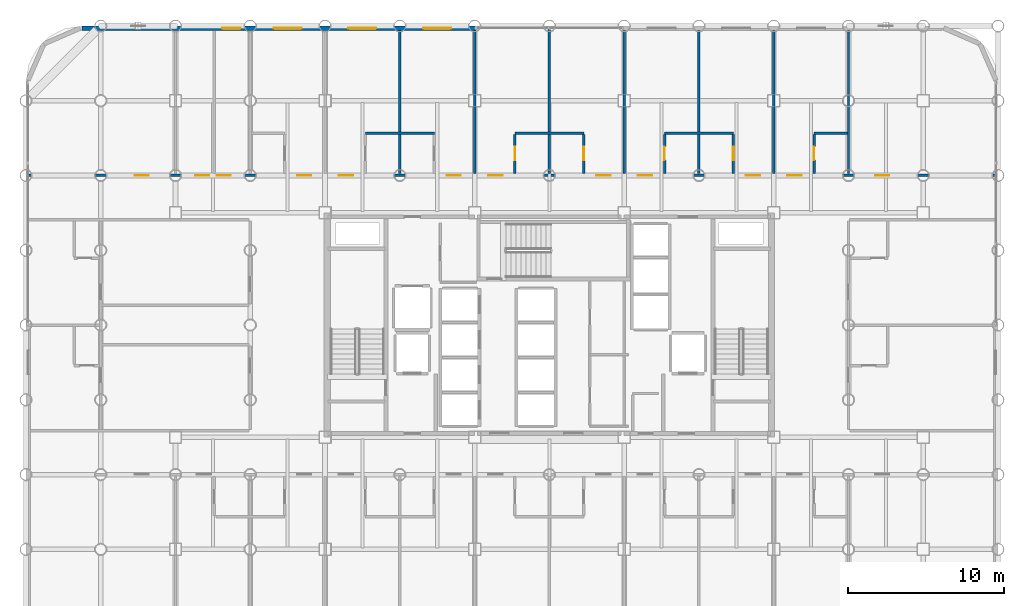
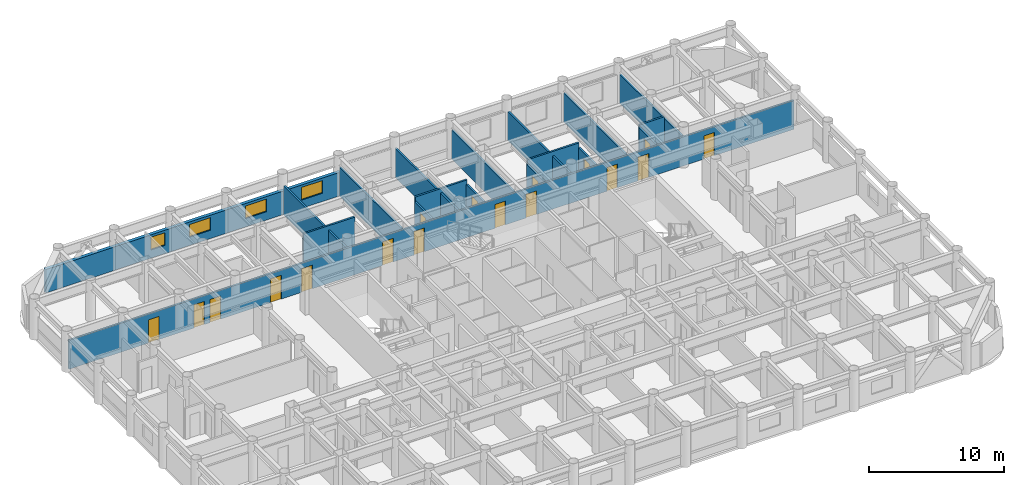
# One storey, part 20 of 22: 18 walls, 17 doors, 4 windows, 21 openings.
"""IFC4 building model written with IfcOpenShell, lengths in metres."""

from ifc_helpers import new_model, si_unit, direction, frame, frame_2d, origin, place, context, subcontext, project, spatial, rectangle, extrude, material, layer, layer_set, type_object, element, fill, save


model = new_model("IFC4")

# Units and contexts
model_context = context("Model", 3, precision=1e-05, world=origin(), true_north=direction((0.0, 1.0)))
body_context = subcontext(model_context, "Body", "Model", "MODEL_VIEW")
ifc_project = project(units=[si_unit("LENGTHUNIT", "METRE"), si_unit("AREAUNIT", "SQUARE_METRE"), si_unit("VOLUMEUNIT", "CUBIC_METRE"), si_unit("PLANEANGLEUNIT", "RADIAN"), si_unit("MASSUNIT", "GRAM", prefix="KILO")], contexts=[model_context])

# Site, building, storey
site_placement = place(None, origin())
site = spatial("IfcSite", under=ifc_project, at=site_placement, CompositionType="ELEMENT")
building_placement = place(site_placement, origin())
building = spatial("IfcBuilding", under=site, at=building_placement, Name="Kallvorn Hotel Tower", CompositionType="ELEMENT")
storey_placement = place(building_placement, frame((0.0, 0.0, 33.699951171875)))
storey = spatial("IfcBuildingStorey", under=building, at=storey_placement, Name="L06", CompositionType="ELEMENT", Elevation=33.699951171875)

# Wall, openings, doors
ifc_material_1 = material(Name="Fire-rated double-layer acoustic gypsum drywall EI 60")
ifc_layer_1 = layer(ifc_material_1, 0.159912109375)
ifc_layer_set_1 = layer_set([ifc_layer_1], Name="WL_DEMISE_160")
wall_type_1 = type_object("IfcWallType", Name="WL_DEMISE_160", PredefinedType="PARTITIONING", material=ifc_layer_set_1)
wall_1_placement = place(storey_placement, frame((-33.429931640625, 9.60009765625, 0.0), z_axis=(0.0, 0.0, 1.0), x_axis=(1.0, 0.0, 0.0)))
wall_1 = element("IfcWall", 1, at=wall_1_placement, inside=storey, type_object=wall_type_1, Name="L06 Suite 614 Standard Twin Room Partition", PredefinedType="PARTITIONING", context=body_context, shape_type="SweptSolid", body=[
    extrude(rectangle(XDim=62.059814453125, YDim=0.159912109375, at=frame_2d((31.02978515625, 0.0))), origin(), (0.0, 0.0, 1.0), 2.6201171875),
])
opening_1_placement = place(wall_1_placement, frame((6.799560546875, 0.0, 0.0)))
opening_1 = element("IfcOpeningElement", 2, at=opening_1_placement, cuts=wall_1, Name="Opening SVD1", PredefinedType="OPENING", context=body_context, shape_type="SweptSolid", body=[
    extrude(rectangle(XDim=0.89990234375, YDim=2.10009765625, at=frame_2d((0.449951171875, 1.050048828125))), frame((0.0, 0.094970703125, 0.0), z_axis=(0.0, -1.0, 0.0), x_axis=(1.0, 0.0, 0.0)), (0.0, 0.0, 1.0), 0.18994140625),
])
opening_2_placement = place(wall_1_placement, frame((54.360595703125, 0.0, 0.0)))
opening_2 = element("IfcOpeningElement", 3, at=opening_2_placement, cuts=wall_1, Name="Opening SVD1", PredefinedType="OPENING", context=body_context, shape_type="SweptSolid", body=[
    extrude(rectangle(XDim=0.89990234375, YDim=2.10009765625, at=frame_2d((0.449951171875, 1.050048828125))), frame((0.0, 0.094970703125, 0.0), z_axis=(0.0, -1.0, 0.0), x_axis=(1.0, 0.0, 0.0)), (0.0, 0.0, 1.0), 0.18994140625),
])
opening_3_placement = place(wall_1_placement, frame((10.68994140625, 0.0, 0.0)))
opening_3 = element("IfcOpeningElement", 4, at=opening_3_placement, cuts=wall_1, Name="Opening SVD1", PredefinedType="OPENING", context=body_context, shape_type="SweptSolid", body=[
    extrude(rectangle(XDim=0.89990234375, YDim=2.10009765625, at=frame_2d((0.449951171875, 1.050048828125))), frame((0.0, 0.094970703125, 0.0), z_axis=(0.0, -1.0, 0.0), x_axis=(1.0, 0.0, 0.0)), (0.0, 0.0, 1.0), 0.18994140625),
])
opening_4_placement = place(wall_1_placement, frame((12.070068359375, 0.0, 0.0)))
opening_4 = element("IfcOpeningElement", 5, at=opening_4_placement, cuts=wall_1, Name="Opening SVD1", PredefinedType="OPENING", context=body_context, shape_type="SweptSolid", body=[
    extrude(rectangle(XDim=0.89990234375, YDim=2.10009765625, at=frame_2d((0.449951171875, 1.050048828125))), frame((0.0, 0.094970703125, 0.0), z_axis=(0.0, -1.0, 0.0), x_axis=(1.0, 0.0, 0.0)), (0.0, 0.0, 1.0), 0.18994140625),
])
opening_5_placement = place(wall_1_placement, frame((17.235107421875, 0.0, 0.0)))
opening_5 = element("IfcOpeningElement", 6, at=opening_5_placement, cuts=wall_1, Name="Opening GD1", PredefinedType="OPENING", context=body_context, shape_type="SweptSolid", body=[
    extrude(rectangle(XDim=0.919921875, YDim=2.14990234375, at=frame_2d((0.4599609375, 1.074951171875))), frame((0.0, 0.094970703125, 0.0), z_axis=(0.0, -1.0, 0.0), x_axis=(1.0, 0.0, 0.0)), (0.0, 0.0, 1.0), 0.18994140625),
])
opening_6_placement = place(wall_1_placement, frame((19.905029296875, 0.0, 0.0)))
opening_6 = element("IfcOpeningElement", 7, at=opening_6_placement, cuts=wall_1, Name="Opening GD1", PredefinedType="OPENING", context=body_context, shape_type="SweptSolid", body=[
    extrude(rectangle(XDim=0.919921875, YDim=2.14990234375, at=frame_2d((0.4599609375, 1.074951171875))), frame((0.0, 0.094970703125, 0.0), z_axis=(0.0, -1.0, 0.0), x_axis=(1.0, 0.0, 0.0)), (0.0, 0.0, 1.0), 0.18994140625),
])
opening_7_placement = place(wall_1_placement, frame((26.8349609375, 0.0, 0.0)))
opening_7 = element("IfcOpeningElement", 8, at=opening_7_placement, cuts=wall_1, Name="Opening GD1", PredefinedType="OPENING", context=body_context, shape_type="SweptSolid", body=[
    extrude(rectangle(XDim=0.919921875, YDim=2.14990234375, at=frame_2d((0.4599609375, 1.074951171875))), frame((0.0, 0.094970703125, 0.0), z_axis=(0.0, -1.0, 0.0), x_axis=(1.0, 0.0, 0.0)), (0.0, 0.0, 1.0), 0.18994140625),
])
opening_8_placement = place(wall_1_placement, frame((29.5048828125, 0.0, 0.0)))
opening_8 = element("IfcOpeningElement", 9, at=opening_8_placement, cuts=wall_1, Name="Opening GD1", PredefinedType="OPENING", context=body_context, shape_type="SweptSolid", body=[
    extrude(rectangle(XDim=0.919921875, YDim=2.14990234375, at=frame_2d((0.4599609375, 1.074951171875))), frame((0.0, 0.094970703125, 0.0), z_axis=(0.0, -1.0, 0.0), x_axis=(1.0, 0.0, 0.0)), (0.0, 0.0, 1.0), 0.18994140625),
])
opening_9_placement = place(wall_1_placement, frame((36.43505859375, 0.0, 0.0)))
opening_9 = element("IfcOpeningElement", 10, at=opening_9_placement, cuts=wall_1, Name="Opening GD1", PredefinedType="OPENING", context=body_context, shape_type="SweptSolid", body=[
    extrude(rectangle(XDim=0.919921875, YDim=2.14990234375, at=frame_2d((0.4599609375, 1.074951171875))), frame((0.0, 0.094970703125, 0.0), z_axis=(0.0, -1.0, 0.0), x_axis=(1.0, 0.0, 0.0)), (0.0, 0.0, 1.0), 0.18994140625),
])
opening_10_placement = place(wall_1_placement, frame((39.10498046875, 0.0, 0.0)))
opening_10 = element("IfcOpeningElement", 11, at=opening_10_placement, cuts=wall_1, Name="Opening GD1", PredefinedType="OPENING", context=body_context, shape_type="SweptSolid", body=[
    extrude(rectangle(XDim=0.919921875, YDim=2.14990234375, at=frame_2d((0.4599609375, 1.074951171875))), frame((0.0, 0.094970703125, 0.0), z_axis=(0.0, -1.0, 0.0), x_axis=(1.0, 0.0, 0.0)), (0.0, 0.0, 1.0), 0.18994140625),
])
opening_11_placement = place(wall_1_placement, frame((46.034912109375, 0.0, 0.0)))
opening_11 = element("IfcOpeningElement", 12, at=opening_11_placement, cuts=wall_1, Name="Opening GD1", PredefinedType="OPENING", context=body_context, shape_type="SweptSolid", body=[
    extrude(rectangle(XDim=0.919921875, YDim=2.14990234375, at=frame_2d((0.4599609375, 1.074951171875))), frame((0.0, 0.094970703125, 0.0), z_axis=(0.0, -1.0, 0.0), x_axis=(1.0, 0.0, 0.0)), (0.0, 0.0, 1.0), 0.18994140625),
])
opening_12_placement = place(wall_1_placement, frame((48.705078125, 0.0, 0.0)))
opening_12 = element("IfcOpeningElement", 13, at=opening_12_placement, cuts=wall_1, Name="Opening GD1", PredefinedType="OPENING", context=body_context, shape_type="SweptSolid", body=[
    extrude(rectangle(XDim=0.919921875, YDim=2.14990234375, at=frame_2d((0.4599609375, 1.074951171875))), frame((0.0, 0.094970703125, 0.0), z_axis=(0.0, -1.0, 0.0), x_axis=(1.0, 0.0, 0.0)), (0.0, 0.0, 1.0), 0.18994140625),
])
ifc_material_2 = material(Name="Solid-core walnut veneer fire-rated timber door leaf", Category="wood")
door_type_1 = type_object("IfcDoorType", Name="DR_GUEST_920x2150", OperationType="NOTDEFINED", PredefinedType="DOOR", material=ifc_material_2)
door_1_placement = place(opening_5_placement, origin())
door_1 = element("IfcDoor", 14, at=door_1_placement, inside=storey, type_object=door_type_1, Name="L06 Suite 614 Standard Twin Room Door", OperationType="SINGLE_SWING_RIGHT", OverallHeight=2.14990234375, OverallWidth=0.919921875, PredefinedType="DOOR", context=body_context, shape_type="SweptSolid", body=[
    extrude(rectangle(XDim=0.919921875, YDim=2.14990234375, at=frame_2d((0.4599609375, 1.074951171875))), frame((0.0, 0.02490234375, 0.0), z_axis=(0.0, -1.0, 0.0), x_axis=(1.0, 0.0, 0.0)), (0.0, 0.0, 1.0), 0.050048828125),
])
fill(opening_5, door_1)
door_2_placement = place(opening_6_placement, origin())
door_2 = element("IfcDoor", 15, at=door_2_placement, inside=storey, type_object=door_type_1, Name="L06 Suite 615 Standard Twin Room Door", OperationType="SINGLE_SWING_LEFT", OverallHeight=2.14990234375, OverallWidth=0.919921875, PredefinedType="DOOR", context=body_context, shape_type="SweptSolid", body=[
    extrude(rectangle(XDim=0.919921875, YDim=2.14990234375, at=frame_2d((0.4599609375, 1.074951171875))), frame((0.0, 0.02490234375, 0.0), z_axis=(0.0, -1.0, 0.0), x_axis=(1.0, 0.0, 0.0)), (0.0, 0.0, 1.0), 0.050048828125),
])
fill(opening_6, door_2)
door_3_placement = place(opening_7_placement, origin())
door_3 = element("IfcDoor", 16, at=door_3_placement, inside=storey, type_object=door_type_1, Name="L06 Suite 616 Standard Twin Room Door", OperationType="SINGLE_SWING_LEFT", OverallHeight=2.14990234375, OverallWidth=0.919921875, PredefinedType="DOOR", context=body_context, shape_type="SweptSolid", body=[
    extrude(rectangle(XDim=0.919921875, YDim=2.14990234375, at=frame_2d((0.4599609375, 1.074951171875))), frame((0.0, 0.02490234375, 0.0), z_axis=(0.0, -1.0, 0.0), x_axis=(1.0, 0.0, 0.0)), (0.0, 0.0, 1.0), 0.050048828125),
])
fill(opening_7, door_3)
door_4_placement = place(opening_8_placement, origin())
door_4 = element("IfcDoor", 17, at=door_4_placement, inside=storey, type_object=door_type_1, Name="L06 Suite 617 Standard Twin Room Door", OperationType="SINGLE_SWING_RIGHT", OverallHeight=2.14990234375, OverallWidth=0.919921875, PredefinedType="DOOR", context=body_context, shape_type="SweptSolid", body=[
    extrude(rectangle(XDim=0.919921875, YDim=2.14990234375, at=frame_2d((0.4599609375, 1.074951171875))), frame((0.0, 0.02490234375, 0.0), z_axis=(0.0, -1.0, 0.0), x_axis=(1.0, 0.0, 0.0)), (0.0, 0.0, 1.0), 0.050048828125),
])
fill(opening_8, door_4)
door_5_placement = place(opening_9_placement, origin())
door_5 = element("IfcDoor", 18, at=door_5_placement, inside=storey, type_object=door_type_1, Name="L06 Suite 618 Standard Twin Room Door", OperationType="SINGLE_SWING_LEFT", OverallHeight=2.14990234375, OverallWidth=0.919921875, PredefinedType="DOOR", context=body_context, shape_type="SweptSolid", body=[
    extrude(rectangle(XDim=0.919921875, YDim=2.14990234375, at=frame_2d((0.4599609375, 1.074951171875))), frame((0.0, 0.02490234375, 0.0), z_axis=(0.0, -1.0, 0.0), x_axis=(1.0, 0.0, 0.0)), (0.0, 0.0, 1.0), 0.050048828125),
])
fill(opening_9, door_5)
door_6_placement = place(opening_10_placement, origin())
door_6 = element("IfcDoor", 19, at=door_6_placement, inside=storey, type_object=door_type_1, Name="L06 Suite 619 Standard Twin Room Door", OperationType="SINGLE_SWING_LEFT", OverallHeight=2.14990234375, OverallWidth=0.919921875, PredefinedType="DOOR", context=body_context, shape_type="SweptSolid", body=[
    extrude(rectangle(XDim=0.919921875, YDim=2.14990234375, at=frame_2d((0.4599609375, 1.074951171875))), frame((0.0, 0.02490234375, 0.0), z_axis=(0.0, -1.0, 0.0), x_axis=(1.0, 0.0, 0.0)), (0.0, 0.0, 1.0), 0.050048828125),
])
fill(opening_10, door_6)
door_7_placement = place(opening_11_placement, origin())
door_7 = element("IfcDoor", 20, at=door_7_placement, inside=storey, type_object=door_type_1, Name="L06 Suite 620 Standard Twin Room Door", OperationType="SINGLE_SWING_LEFT", OverallHeight=2.14990234375, OverallWidth=0.919921875, PredefinedType="DOOR", context=body_context, shape_type="SweptSolid", body=[
    extrude(rectangle(XDim=0.919921875, YDim=2.14990234375, at=frame_2d((0.4599609375, 1.074951171875))), frame((0.0, 0.02490234375, 0.0), z_axis=(0.0, -1.0, 0.0), x_axis=(1.0, 0.0, 0.0)), (0.0, 0.0, 1.0), 0.050048828125),
])
fill(opening_11, door_7)
door_8_placement = place(opening_12_placement, origin())
door_8 = element("IfcDoor", 21, at=door_8_placement, inside=storey, type_object=door_type_1, Name="L06 Suite 621 Standard Twin Room Door", OperationType="SINGLE_SWING_RIGHT", OverallHeight=2.14990234375, OverallWidth=0.919921875, PredefinedType="DOOR", context=body_context, shape_type="SweptSolid", body=[
    extrude(rectangle(XDim=0.919921875, YDim=2.14990234375, at=frame_2d((0.4599609375, 1.074951171875))), frame((0.0, 0.02490234375, 0.0), z_axis=(0.0, -1.0, 0.0), x_axis=(1.0, 0.0, 0.0)), (0.0, 0.0, 1.0), 0.050048828125),
])
fill(opening_12, door_8)
ifc_material_3 = material(Name="Galvanised painted steel fire-rated door assembly", Category="steel")
door_type_2 = type_object("IfcDoorType", Name="DR_SERV_900x2100", OperationType="NOTDEFINED", PredefinedType="DOOR", material=ifc_material_3)
door_9_placement = place(opening_1_placement, origin())
door_9 = element("IfcDoor", 22, at=door_9_placement, inside=storey, type_object=door_type_2, Name="L06 L06 North-West Fitness Gymnasium Door", OperationType="SINGLE_SWING_RIGHT", OverallHeight=2.10009765625, OverallWidth=0.89990234375, PredefinedType="DOOR", context=body_context, shape_type="SweptSolid", body=[
    extrude(rectangle(XDim=0.89990234375, YDim=2.10009765625, at=frame_2d((0.449951171875, 1.050048828125))), frame((0.0, 0.02490234375, 0.0), z_axis=(0.0, -1.0, 0.0), x_axis=(1.0, 0.0, 0.0)), (0.0, 0.0, 1.0), 0.050048828125),
])
fill(opening_1, door_9)
door_10_placement = place(opening_2_placement, origin())
door_10 = element("IfcDoor", 23, at=door_10_placement, inside=storey, type_object=door_type_2, Name="L06 L06 North-East Reading Club Door", OperationType="SINGLE_SWING_RIGHT", OverallHeight=2.10009765625, OverallWidth=0.89990234375, PredefinedType="DOOR", context=body_context, shape_type="SweptSolid", body=[
    extrude(rectangle(XDim=0.89990234375, YDim=2.10009765625, at=frame_2d((0.449951171875, 1.050048828125))), frame((0.0, 0.02490234375, 0.0), z_axis=(0.0, -1.0, 0.0), x_axis=(1.0, 0.0, 0.0)), (0.0, 0.0, 1.0), 0.050048828125),
])
fill(opening_2, door_10)
door_11_placement = place(opening_3_placement, origin())
door_11 = element("IfcDoor", 24, at=door_11_placement, inside=storey, type_object=door_type_2, Name="L06 Housekeeping and Linen Room Door", OperationType="SINGLE_SWING_LEFT", OverallHeight=2.10009765625, OverallWidth=0.89990234375, PredefinedType="DOOR", context=body_context, shape_type="SweptSolid", body=[
    extrude(rectangle(XDim=0.89990234375, YDim=2.10009765625, at=frame_2d((0.449951171875, 1.050048828125))), frame((0.0, 0.02490234375, 0.0), z_axis=(0.0, -1.0, 0.0), x_axis=(1.0, 0.0, 0.0)), (0.0, 0.0, 1.0), 0.050048828125),
])
fill(opening_3, door_11)
door_12_placement = place(opening_4_placement, origin())
door_12 = element("IfcDoor", 25, at=door_12_placement, inside=storey, type_object=door_type_2, Name="L06 Guest Tea and Refreshment Bar Door", OperationType="SINGLE_SWING_RIGHT", OverallHeight=2.10009765625, OverallWidth=0.89990234375, PredefinedType="DOOR", context=body_context, shape_type="SweptSolid", body=[
    extrude(rectangle(XDim=0.89990234375, YDim=2.10009765625, at=frame_2d((0.449951171875, 1.050048828125))), frame((0.0, 0.02490234375, 0.0), z_axis=(0.0, -1.0, 0.0), x_axis=(1.0, 0.0, 0.0)), (0.0, 0.0, 1.0), 0.050048828125),
])
fill(opening_4, door_12)

# Walls
wall_2_placement = place(storey_placement, frame((-11.81005859375, 12.320068359375, 0.0), z_axis=(0.0, 0.0, 1.0), x_axis=(1.0, 0.0, 0.0)))
element("IfcWall", 26, at=wall_2_placement, inside=storey, type_object=wall_type_1, Name="L06 Suite 615 Standard Twin Room Partition", PredefinedType="PARTITIONING", context=body_context, shape_type="SweptSolid", body=[
    extrude(rectangle(XDim=4.420166015625, YDim=0.159912109375, at=frame_2d((2.2099609375, 0.0))), origin(), (0.0, 0.0, 1.0), 3.02001953125),
])
wall_3_placement = place(storey_placement, frame((-2.2099609375, 12.320068359375, 0.0), z_axis=(0.0, 0.0, 1.0), x_axis=(1.0, 0.0, 0.0)))
element("IfcWall", 27, at=wall_3_placement, inside=storey, type_object=wall_type_1, Name="L06 Suite 617 Standard Twin Room Partition", PredefinedType="PARTITIONING", context=body_context, shape_type="SweptSolid", body=[
    extrude(rectangle(XDim=4.419921875, YDim=0.159912109375, at=frame_2d((2.2099609375, 0.0))), origin(), (0.0, 0.0, 1.0), 3.02001953125),
])
wall_4_placement = place(storey_placement, frame((7.389892578125, 12.320068359375, 0.0), z_axis=(0.0, 0.0, 1.0), x_axis=(1.0, 0.0, 0.0)))
element("IfcWall", 28, at=wall_4_placement, inside=storey, type_object=wall_type_1, Name="L06 Suite 619 Standard Twin Room Partition", PredefinedType="PARTITIONING", context=body_context, shape_type="SweptSolid", body=[
    extrude(rectangle(XDim=4.420166015625, YDim=0.159912109375, at=frame_2d((2.2099609375, 0.0))), origin(), (0.0, 0.0, 1.0), 3.02001953125),
])
wall_5_placement = place(storey_placement, frame((16.989990234375, 12.320068359375, 0.0), z_axis=(0.0, 0.0, 1.0), x_axis=(1.0, 0.0, 0.0)))
element("IfcWall", 29, at=wall_5_placement, inside=storey, type_object=wall_type_1, Name="L06 Suite 621 Standard Twin Room Partition", PredefinedType="PARTITIONING", context=body_context, shape_type="SweptSolid", body=[
    extrude(rectangle(XDim=2.130126953125, YDim=0.159912109375, at=frame_2d((1.06494140625, 0.0))), origin(), (0.0, 0.0, 1.0), 2.820068359375),
])
for number, where, z_axis, x_axis, name in (
    (30, (-9.60009765625, 9.719970703125, 0.0), (0.0, 0.0, 1.0), (0.0, 1.0, 0.0), "L06 Suite 615 Standard Twin Room Partition"),
    (31, (-4.800048828125, 9.719970703125, 0.0), (0.0, 0.0, 1.0), (0.0, 1.0, 0.0), "L06 Suite 616 Standard Twin Room Partition"),
):
    element("IfcWall", number, at=place(storey_placement, frame(where, z_axis=z_axis, x_axis=x_axis)), inside=storey, type_object=wall_type_1, Name=name, PredefinedType="PARTITIONING", context=body_context, shape_type="SweptSolid", body=[
        extrude(rectangle(XDim=9.18994140625, YDim=0.159912109375, at=frame_2d((4.594970703125, 0.0))), origin(), (0.0, 0.0, 1.0), 2.6201171875),
    ])

# Wall, opening, door
wall_6_placement = place(storey_placement, frame((-2.2099609375, 9.719970703125, 0.0), z_axis=(0.0, 0.0, 1.0), x_axis=(0.0, 1.0, 0.0)))
wall_6 = element("IfcWall", 32, at=wall_6_placement, inside=storey, type_object=wall_type_1, Name="L06 Suite 617 Standard Twin Room Partition", PredefinedType="PARTITIONING", context=body_context, shape_type="SweptSolid", body=[
    extrude(rectangle(XDim=2.51513671875, YDim=0.159912109375, at=frame_2d((1.257568359375, 0.0))), origin(), (0.0, 0.0, 1.0), 2.6201171875),
])
opening_13_placement = place(wall_6_placement, frame((0.8701171875, 0.0, 0.0)))
opening_13 = element("IfcOpeningElement", 33, at=opening_13_placement, cuts=wall_6, Name="Opening BD-I", PredefinedType="OPENING", context=body_context, shape_type="SweptSolid", body=[
    extrude(rectangle(XDim=0.860107421875, YDim=2.10009765625, at=frame_2d((0.43017578125, 1.050048828125))), frame((0.0, 0.094970703125, 0.0), z_axis=(0.0, -1.0, 0.0), x_axis=(1.0, 0.0, 0.0)), (0.0, 0.0, 1.0), 0.18994140625),
])
ifc_material_4 = material(Name="Solid-core walnut veneer fire-rated timber door leaf", Category="wood")
door_type_3 = type_object("IfcDoorType", Name="DR_BATH_860x2100", OperationType="NOTDEFINED", PredefinedType="DOOR", material=ifc_material_4)
door_13_placement = place(opening_13_placement, origin())
door_13 = element("IfcDoor", 34, at=door_13_placement, inside=storey, type_object=door_type_3, Name="L06 Suite 617 En-Suite Bathroom Door", OperationType="SINGLE_SWING_LEFT", OverallHeight=2.10009765625, OverallWidth=0.860107421875, PredefinedType="DOOR", context=body_context, shape_type="SweptSolid", body=[
    extrude(rectangle(XDim=0.860107421875, YDim=2.10009765625, at=frame_2d((0.43017578125, 1.050048828125))), frame((0.0, 0.02490234375, 0.0), z_axis=(0.0, -1.0, 0.0), x_axis=(1.0, 0.0, 0.0)), (0.0, 0.0, 1.0), 0.050048828125),
])
fill(opening_13, door_13)

# Wall
wall_7_placement = place(storey_placement, frame((0.0, 9.719970703125, 0.0), z_axis=(0.0, 0.0, 1.0), x_axis=(0.0, 1.0, 0.0)))
element("IfcWall", 35, at=wall_7_placement, inside=storey, type_object=wall_type_1, Name="L06 Suite 617 Standard Twin Room Partition", PredefinedType="PARTITIONING", context=body_context, shape_type="SweptSolid", body=[
    extrude(rectangle(XDim=9.275146484375, YDim=0.159912109375, at=frame_2d((4.6376953125, 0.0))), origin(), (0.0, 0.0, 1.0), 2.6201171875),
])

# Wall, opening, door
wall_8_placement = place(storey_placement, frame((2.2099609375, 9.719970703125, 0.0), z_axis=(0.0, 0.0, 1.0), x_axis=(0.0, 1.0, 0.0)))
wall_8 = element("IfcWall", 36, at=wall_8_placement, inside=storey, type_object=wall_type_1, Name="L06 Suite 618 Standard Twin Room Partition", PredefinedType="PARTITIONING", context=body_context, shape_type="SweptSolid", body=[
    extrude(rectangle(XDim=2.51513671875, YDim=0.159912109375, at=frame_2d((1.257568359375, 0.0))), origin(), (0.0, 0.0, 1.0), 2.6201171875),
])
opening_14_placement = place(wall_8_placement, frame((0.8701171875, 0.0, 0.0)))
opening_14 = element("IfcOpeningElement", 37, at=opening_14_placement, cuts=wall_8, Name="Opening BD-I", PredefinedType="OPENING", context=body_context, shape_type="SweptSolid", body=[
    extrude(rectangle(XDim=0.860107421875, YDim=2.10009765625, at=frame_2d((0.43017578125, 1.050048828125))), frame((0.0, 0.094970703125, 0.0), z_axis=(0.0, -1.0, 0.0), x_axis=(1.0, 0.0, 0.0)), (0.0, 0.0, 1.0), 0.18994140625),
])
door_14_placement = place(opening_14_placement, origin())
door_14 = element("IfcDoor", 38, at=door_14_placement, inside=storey, type_object=door_type_3, Name="L06 Suite 618 En-Suite Bathroom Door", OperationType="SINGLE_SWING_RIGHT", OverallHeight=2.10009765625, OverallWidth=0.860107421875, PredefinedType="DOOR", context=body_context, shape_type="SweptSolid", body=[
    extrude(rectangle(XDim=0.860107421875, YDim=2.10009765625, at=frame_2d((0.43017578125, 1.050048828125))), frame((0.0, 0.02490234375, 0.0), z_axis=(0.0, -1.0, 0.0), x_axis=(1.0, 0.0, 0.0)), (0.0, 0.0, 1.0), 0.050048828125),
])
fill(opening_14, door_14)

# Wall
wall_9_placement = place(storey_placement, frame((4.800048828125, 9.719970703125, 0.0), z_axis=(0.0, 0.0, 1.0), x_axis=(0.0, 1.0, 0.0)))
element("IfcWall", 39, at=wall_9_placement, inside=storey, type_object=wall_type_1, Name="L06 Suite 618 Standard Twin Room Partition", PredefinedType="PARTITIONING", context=body_context, shape_type="SweptSolid", body=[
    extrude(rectangle(XDim=9.18994140625, YDim=0.159912109375, at=frame_2d((4.594970703125, 0.0))), origin(), (0.0, 0.0, 1.0), 2.6201171875),
])

# Wall, opening, door
wall_10_placement = place(storey_placement, frame((7.389892578125, 9.719970703125, 0.0), z_axis=(0.0, 0.0, 1.0), x_axis=(0.0, 1.0, 0.0)))
wall_10 = element("IfcWall", 40, at=wall_10_placement, inside=storey, type_object=wall_type_1, Name="L06 Suite 619 Standard Twin Room Partition", PredefinedType="PARTITIONING", context=body_context, shape_type="SweptSolid", body=[
    extrude(rectangle(XDim=2.51513671875, YDim=0.159912109375, at=frame_2d((1.257568359375, 0.0))), origin(), (0.0, 0.0, 1.0), 2.6201171875),
])
opening_15_placement = place(wall_10_placement, frame((0.8701171875, 0.0, 0.0)))
opening_15 = element("IfcOpeningElement", 41, at=opening_15_placement, cuts=wall_10, Name="Opening BD-I", PredefinedType="OPENING", context=body_context, shape_type="SweptSolid", body=[
    extrude(rectangle(XDim=0.860107421875, YDim=2.10009765625, at=frame_2d((0.43017578125, 1.050048828125))), frame((0.0, 0.094970703125, 0.0), z_axis=(0.0, -1.0, 0.0), x_axis=(1.0, 0.0, 0.0)), (0.0, 0.0, 1.0), 0.18994140625),
])
door_15_placement = place(opening_15_placement, origin())
door_15 = element("IfcDoor", 42, at=door_15_placement, inside=storey, type_object=door_type_3, Name="L06 Suite 619 En-Suite Bathroom Door", OperationType="SINGLE_SWING_RIGHT", OverallHeight=2.10009765625, OverallWidth=0.860107421875, PredefinedType="DOOR", context=body_context, shape_type="SweptSolid", body=[
    extrude(rectangle(XDim=0.860107421875, YDim=2.10009765625, at=frame_2d((0.43017578125, 1.050048828125))), frame((0.0, 0.02490234375, 0.0), z_axis=(0.0, -1.0, 0.0), x_axis=(1.0, 0.0, 0.0)), (0.0, 0.0, 1.0), 0.050048828125),
])
fill(opening_15, door_15)

# Wall
wall_11_placement = place(storey_placement, frame((9.60009765625, 9.719970703125, 0.0), z_axis=(0.0, 0.0, 1.0), x_axis=(0.0, 1.0, 0.0)))
element("IfcWall", 43, at=wall_11_placement, inside=storey, type_object=wall_type_1, Name="L06 Suite 619 Standard Twin Room Partition", PredefinedType="PARTITIONING", context=body_context, shape_type="SweptSolid", body=[
    extrude(rectangle(XDim=9.18994140625, YDim=0.159912109375, at=frame_2d((4.594970703125, 0.0))), origin(), (0.0, 0.0, 1.0), 2.6201171875),
])

# Wall, opening, door
wall_12_placement = place(storey_placement, frame((11.81005859375, 9.719970703125, 0.0), z_axis=(0.0, 0.0, 1.0), x_axis=(0.0, 1.0, 0.0)))
wall_12 = element("IfcWall", 44, at=wall_12_placement, inside=storey, type_object=wall_type_1, Name="L06 Suite 620 Standard Twin Room Partition", PredefinedType="PARTITIONING", context=body_context, shape_type="SweptSolid", body=[
    extrude(rectangle(XDim=2.51513671875, YDim=0.159912109375, at=frame_2d((1.257568359375, 0.0))), origin(), (0.0, 0.0, 1.0), 2.6201171875),
])
opening_16_placement = place(wall_12_placement, frame((0.8701171875, 0.0, 0.0)))
opening_16 = element("IfcOpeningElement", 45, at=opening_16_placement, cuts=wall_12, Name="Opening BD-I", PredefinedType="OPENING", context=body_context, shape_type="SweptSolid", body=[
    extrude(rectangle(XDim=0.860107421875, YDim=2.10009765625, at=frame_2d((0.43017578125, 1.050048828125))), frame((0.0, 0.094970703125, 0.0), z_axis=(0.0, -1.0, 0.0), x_axis=(1.0, 0.0, 0.0)), (0.0, 0.0, 1.0), 0.18994140625),
])
door_16_placement = place(opening_16_placement, origin())
door_16 = element("IfcDoor", 46, at=door_16_placement, inside=storey, type_object=door_type_3, Name="L06 Suite 620 En-Suite Bathroom Door", OperationType="SINGLE_SWING_RIGHT", OverallHeight=2.10009765625, OverallWidth=0.860107421875, PredefinedType="DOOR", context=body_context, shape_type="SweptSolid", body=[
    extrude(rectangle(XDim=0.860107421875, YDim=2.10009765625, at=frame_2d((0.43017578125, 1.050048828125))), frame((0.0, 0.02490234375, 0.0), z_axis=(0.0, -1.0, 0.0), x_axis=(1.0, 0.0, 0.0)), (0.0, 0.0, 1.0), 0.050048828125),
])
fill(opening_16, door_16)

# Wall
wall_13_placement = place(storey_placement, frame((14.39990234375, 9.719970703125, 0.0), z_axis=(0.0, 0.0, 1.0), x_axis=(0.0, 1.0, 0.0)))
element("IfcWall", 47, at=wall_13_placement, inside=storey, type_object=wall_type_1, Name="L06 Suite 620 Standard Twin Room Partition", PredefinedType="PARTITIONING", context=body_context, shape_type="SweptSolid", body=[
    extrude(rectangle(XDim=9.18994140625, YDim=0.159912109375, at=frame_2d((4.594970703125, 0.0))), origin(), (0.0, 0.0, 1.0), 2.6201171875),
])

# Wall, opening, door
wall_14_placement = place(storey_placement, frame((16.989990234375, 9.719970703125, 0.0), z_axis=(0.0, 0.0, 1.0), x_axis=(0.0, 1.0, 0.0)))
wall_14 = element("IfcWall", 48, at=wall_14_placement, inside=storey, type_object=wall_type_1, Name="L06 Suite 621 Standard Twin Room Partition", PredefinedType="PARTITIONING", context=body_context, shape_type="SweptSolid", body=[
    extrude(rectangle(XDim=2.51513671875, YDim=0.159912109375, at=frame_2d((1.257568359375, 0.0))), origin(), (0.0, 0.0, 1.0), 2.6201171875),
])
opening_17_placement = place(wall_14_placement, frame((0.8701171875, 0.0, 0.0)))
opening_17 = element("IfcOpeningElement", 49, at=opening_17_placement, cuts=wall_14, Name="Opening BD-I", PredefinedType="OPENING", context=body_context, shape_type="SweptSolid", body=[
    extrude(rectangle(XDim=0.860107421875, YDim=2.10009765625, at=frame_2d((0.43017578125, 1.050048828125))), frame((0.0, 0.094970703125, 0.0), z_axis=(0.0, -1.0, 0.0), x_axis=(1.0, 0.0, 0.0)), (0.0, 0.0, 1.0), 0.18994140625),
])
door_17_placement = place(opening_17_placement, origin())
door_17 = element("IfcDoor", 50, at=door_17_placement, inside=storey, type_object=door_type_3, Name="L06 Suite 621 En-Suite Bathroom Door", OperationType="SINGLE_SWING_LEFT", OverallHeight=2.10009765625, OverallWidth=0.860107421875, PredefinedType="DOOR", context=body_context, shape_type="SweptSolid", body=[
    extrude(rectangle(XDim=0.860107421875, YDim=2.10009765625, at=frame_2d((0.43017578125, 1.050048828125))), frame((0.0, 0.02490234375, 0.0), z_axis=(0.0, -1.0, 0.0), x_axis=(1.0, 0.0, 0.0)), (0.0, 0.0, 1.0), 0.050048828125),
])
fill(opening_17, door_17)

# Wall
wall_15_placement = place(storey_placement, frame((19.199951171875, 9.719970703125, 0.0), z_axis=(0.0, 0.0, 1.0), x_axis=(0.0, 1.0, 0.0)))
element("IfcWall", 51, at=wall_15_placement, inside=storey, type_object=wall_type_1, Name="L06 Suite 621 Standard Twin Room Partition", PredefinedType="PARTITIONING", context=body_context, shape_type="SweptSolid", body=[
    extrude(rectangle(XDim=9.18994140625, YDim=0.159912109375, at=frame_2d((4.594970703125, 0.0))), origin(), (0.0, 0.0, 1.0), 2.6201171875),
])

# Wall, openings, windows
ifc_material_5 = material(Name="Precast basalt-clad insulated concrete wall C40/50", Category="masonry")
ifc_layer_2 = layer(ifc_material_5, 0.280029296875)
ifc_layer_set_2 = layer_set([ifc_layer_2], Name="WL_EXT_LOGGIA_280")
wall_type_2 = type_object("IfcWallType", Name="WL_EXT_LOGGIA_280", PredefinedType="SOLIDWALL", material=ifc_layer_set_2)
wall_16_placement = place(storey_placement, frame((-30.0, 19.06005859375, 0.0), z_axis=(0.0, 0.0, 1.0), x_axis=(1.0, 0.0, 0.0)))
wall_16 = element("IfcWall", 52, at=wall_16_placement, inside=storey, type_object=wall_type_2, Name="L06 Exterior Envelope Wall EW-L06-NW", PredefinedType="SOLIDWALL", context=body_context, shape_type="SweptSolid", body=[
    extrude(rectangle(XDim=25.25, YDim=0.280029296875, at=frame_2d((12.625, 0.0))), origin(), (0.0, 0.0, 1.0), 2.1201171875),
])
opening_18_placement = place(wall_16_placement, frame((9.0, 0.0, 0.75)))
opening_18 = element("IfcOpeningElement", 53, at=opening_18_placement, cuts=wall_16, Name="Opening W06A", PredefinedType="OPENING", context=body_context, shape_type="SweptSolid", body=[
    extrude(rectangle(XDim=1.199951171875, YDim=1.14990234375, at=frame_2d((0.60009765625, 0.574951171875))), frame((0.0, 0.155029296875, 0.0), z_axis=(0.0, -1.0, 0.0), x_axis=(1.0, 0.0, 0.0)), (0.0, 0.0, 1.0), 0.31005859375),
])
opening_19_placement = place(wall_16_placement, frame((12.300048828125, 0.0, 0.75)))
opening_19 = element("IfcOpeningElement", 54, at=opening_19_placement, cuts=wall_16, Name="Opening W04A", PredefinedType="OPENING", context=body_context, shape_type="SweptSolid", body=[
    extrude(rectangle(XDim=1.800048828125, YDim=1.14990234375, at=frame_2d((0.89990234375, 0.574951171875))), frame((0.0, 0.155029296875, 0.0), z_axis=(0.0, -1.0, 0.0), x_axis=(1.0, 0.0, 0.0)), (0.0, 0.0, 1.0), 0.31005859375),
])
opening_20_placement = place(wall_16_placement, frame((17.10009765625, 0.0, 0.75)))
opening_20 = element("IfcOpeningElement", 55, at=opening_20_placement, cuts=wall_16, Name="Opening W04A", PredefinedType="OPENING", context=body_context, shape_type="SweptSolid", body=[
    extrude(rectangle(XDim=1.800048828125, YDim=1.14990234375, at=frame_2d((0.89990234375, 0.574951171875))), frame((0.0, 0.155029296875, 0.0), z_axis=(0.0, -1.0, 0.0), x_axis=(1.0, 0.0, 0.0)), (0.0, 0.0, 1.0), 0.31005859375),
])
opening_21_placement = place(wall_16_placement, frame((21.89990234375, 0.0, 0.75)))
opening_21 = element("IfcOpeningElement", 56, at=opening_21_placement, cuts=wall_16, Name="Opening W04A", PredefinedType="OPENING", context=body_context, shape_type="SweptSolid", body=[
    extrude(rectangle(XDim=1.800048828125, YDim=1.14990234375, at=frame_2d((0.89990234375, 0.574951171875))), frame((0.0, 0.155029296875, 0.0), z_axis=(0.0, -1.0, 0.0), x_axis=(1.0, 0.0, 0.0)), (0.0, 0.0, 1.0), 0.31005859375),
])
ifc_material_6 = material(Name="Triple-glazed low-e acoustic solar-control dark glass", Category="glass")
window_type_1 = type_object("IfcWindowType", Name="WN_HTL_1200x1150", PartitioningType="SINGLE_PANEL", PredefinedType="WINDOW", material=ifc_material_6)
window_1_placement = place(opening_18_placement, origin())
window_1 = element("IfcWindow", 57, at=window_1_placement, inside=storey, type_object=window_type_1, Name="L06 Guestroom Exterior Window 10", OverallHeight=1.14990234375, OverallWidth=1.199951171875, PartitioningType="SINGLE_PANEL", PredefinedType="WINDOW", context=body_context, shape_type="SweptSolid", body=[
    extrude(rectangle(XDim=1.199951171875, YDim=1.14990234375, at=frame_2d((0.60009765625, 0.574951171875))), frame((0.0, 0.030029296875, 0.0), z_axis=(0.0, -1.0, 0.0), x_axis=(1.0, 0.0, 0.0)), (0.0, 0.0, 1.0), 0.06005859375),
])
fill(opening_18, window_1)
ifc_material_7 = material(Name="Double-glazed low-e solar-control dark glass", Category="glass")
window_type_2 = type_object("IfcWindowType", Name="WN_HTL_1800x1150", PartitioningType="SINGLE_PANEL", PredefinedType="WINDOW", material=ifc_material_7)
window_2_placement = place(opening_19_placement, origin())
window_2 = element("IfcWindow", 58, at=window_2_placement, inside=storey, type_object=window_type_2, Name="L06 Guestroom Exterior Window 11", OverallHeight=1.14990234375, OverallWidth=1.800048828125, PartitioningType="SINGLE_PANEL", PredefinedType="WINDOW", context=body_context, shape_type="SweptSolid", body=[
    extrude(rectangle(XDim=1.800048828125, YDim=1.14990234375, at=frame_2d((0.89990234375, 0.574951171875))), frame((0.0, 0.030029296875, 0.0), z_axis=(0.0, -1.0, 0.0), x_axis=(1.0, 0.0, 0.0)), (0.0, 0.0, 1.0), 0.06005859375),
])
fill(opening_19, window_2)
window_3_placement = place(opening_20_placement, origin())
window_3 = element("IfcWindow", 59, at=window_3_placement, inside=storey, type_object=window_type_2, Name="L06 Guestroom Exterior Window 12", OverallHeight=1.14990234375, OverallWidth=1.800048828125, PartitioningType="SINGLE_PANEL", PredefinedType="WINDOW", context=body_context, shape_type="SweptSolid", body=[
    extrude(rectangle(XDim=1.800048828125, YDim=1.14990234375, at=frame_2d((0.89990234375, 0.574951171875))), frame((0.0, 0.030029296875, 0.0), z_axis=(0.0, -1.0, 0.0), x_axis=(1.0, 0.0, 0.0)), (0.0, 0.0, 1.0), 0.06005859375),
])
fill(opening_20, window_3)
window_4_placement = place(opening_21_placement, origin())
window_4 = element("IfcWindow", 60, at=window_4_placement, inside=storey, type_object=window_type_2, Name="L06 Guestroom Exterior Window 13", OverallHeight=1.14990234375, OverallWidth=1.800048828125, PartitioningType="SINGLE_PANEL", PredefinedType="WINDOW", context=body_context, shape_type="SweptSolid", body=[
    extrude(rectangle(XDim=1.800048828125, YDim=1.14990234375, at=frame_2d((0.89990234375, 0.574951171875))), frame((0.0, 0.030029296875, 0.0), z_axis=(0.0, -1.0, 0.0), x_axis=(1.0, 0.0, 0.0)), (0.0, 0.0, 1.0), 0.06005859375),
])
fill(opening_21, window_4)

save(model, "model.ifc")
